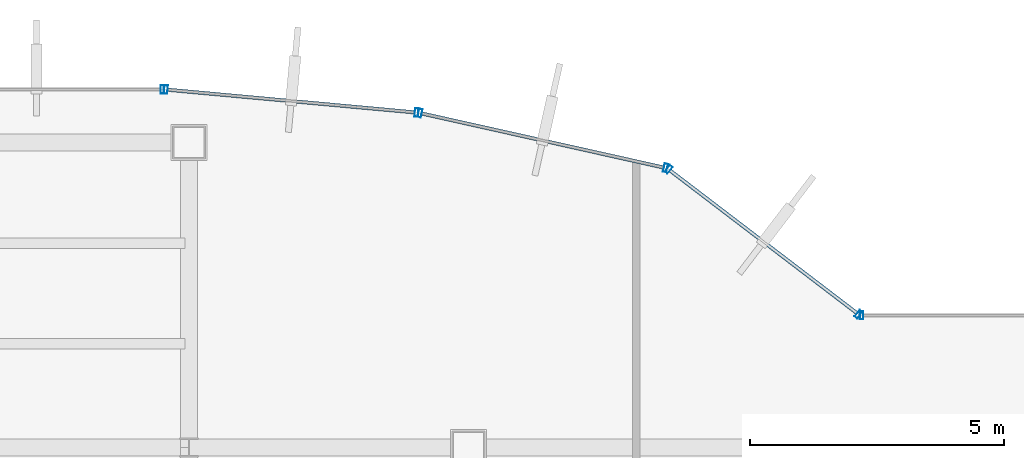
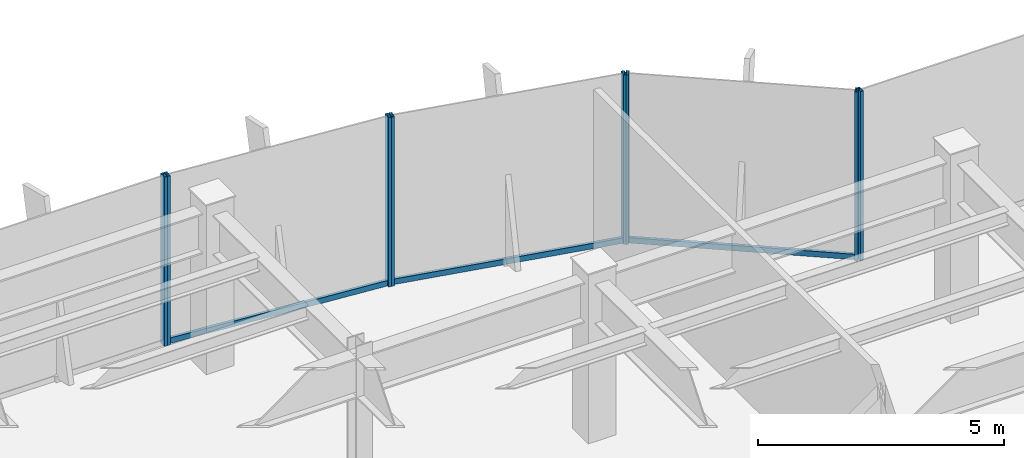
# One storey, part 14 of 26: 11 members, 5 elements without a shape of their own.
"""IFC4 building model written with IfcOpenShell, lengths in metres."""

from ifc_helpers import new_model, si_unit, derived_unit, direction, frame, origin, origin_2d, place, context, subcontext, project, spatial, hollow_rectangle, extrude, source, transform, mapped, material, material_profile, profile_set, type_object, element, aggregate, save


model = new_model("IFC4")

# Units and contexts
model_context = context("Model", 3, precision=1e-05, world=origin(), true_north=direction((0.0, 1.0)))
body_context = subcontext(model_context, "Body", "Model", "MODEL_VIEW")
ifc_project = project(units=[si_unit("LENGTHUNIT", "METRE"), si_unit("AREAUNIT", "SQUARE_METRE"), si_unit("VOLUMEUNIT", "CUBIC_METRE"), si_unit("PLANEANGLEUNIT", "RADIAN"), si_unit("MASSUNIT", "GRAM", prefix="KILO"), derived_unit("THERMALTRANSMITTANCEUNIT", [(si_unit("POWERUNIT", "WATT"), 1), (si_unit("LENGTHUNIT", "METRE"), -2), (si_unit("THERMODYNAMICTEMPERATUREUNIT", "KELVIN"), -1)])], contexts=[model_context])

# Site, building, storey
site_placement = place(None, origin())
site = spatial("IfcSite", under=ifc_project, at=site_placement, CompositionType="ELEMENT")
building_placement = place(site_placement, origin())
building = spatial("IfcBuilding", under=site, at=building_placement, Name="Skarnbrae Concourse Arena and Tower", CompositionType="ELEMENT")
storey_placement = place(building_placement, frame((0.0, 0.0, 184.39990234375)))
storey = spatial("IfcBuildingStorey", under=building, at=storey_placement, Name="L47", CompositionType="ELEMENT", Elevation=184.39990234375)

# Curtain wall, member
ifc_material = material(Name="Bronze anodised aluminium 6063-T6", Category="aluminium")
curtain_wall_type = type_object("IfcCurtainWallType", Name="CW-SYS-06-SKYLOBBY", PredefinedType="USERDEFINED", material=ifc_material)
curtain_wall_1_placement = place(storey_placement, origin())
curtain_wall_1 = element("IfcCurtainWall", 1, at=curtain_wall_1_placement, inside=storey, type_object=curtain_wall_type, Name="L47 Unitised curtain wall CW-L47-E07", ObjectType="UNITISED CURTAIN WALL", PredefinedType="USERDEFINED")
ifc_material_profile_1 = material_profile(ifc_material, hollow_rectangle(XDim=0.070068359375, YDim=0.1650390625, WallThickness=0.00390625, at=origin_2d()), Name="ALU-MULL-70X165")
ifc_profile_set_1 = profile_set([ifc_material_profile_1], Name="Bronze anodised aluminium 6063-T6")
member_type_1 = type_object("IfcMemberType", Name="CWM-CW-06", PredefinedType="MULLION", material=ifc_profile_set_1)
shared_shape_1 = source(origin(), body_context, "Body", "SweptSolid", [
    extrude(hollow_rectangle(XDim=0.070068359375, YDim=0.1650390625, WallThickness=0.00390625, at=origin_2d()), origin(), (0.0, 0.0, 1.0), 4.2001953125),
])
member_1_placement = place(storey_placement, frame((41.235107421875, 37.0, 0.0), z_axis=(0.0, 0.0, 1.0), x_axis=(-1.0, 0.0, 0.0)))
member_1 = element("IfcMember", 2, at=member_1_placement, type_object=member_type_1, Name="CW-L47-E07 Mullion 2", PredefinedType="MULLION", context=body_context, shape_type="MappedRepresentation", body=[
    mapped(shared_shape_1, transform((0.0, 0.0, 0.0))),
])
aggregate(curtain_wall_1, [member_1])

# Curtain wall, members
curtain_wall_2_placement = place(storey_placement, origin())
curtain_wall_2 = element("IfcCurtainWall", 3, at=curtain_wall_2_placement, inside=storey, type_object=curtain_wall_type, Name="L47 Unitised curtain wall CW-L47-E08", ObjectType="UNITISED CURTAIN WALL", PredefinedType="USERDEFINED")
member_2_placement = place(storey_placement, frame((41.172119140625, 37.021240234375, 0.0), z_axis=(0.0, 0.0, 1.0), x_axis=(-0.794956000706, 0.606667089054, 0.0)))
member_2 = element("IfcMember", 4, at=member_2_placement, type_object=member_type_1, Name="CW-L47-E08 Mullion 1", PredefinedType="MULLION", context=body_context, shape_type="MappedRepresentation", body=[
    mapped(shared_shape_1, transform((0.0, 0.0, 0.0))),
])
member_3_placement = place(storey_placement, frame((37.437255859375, 39.87158203125, 0.0), z_axis=(0.0, 0.0, 1.0), x_axis=(-0.794956000706, 0.606667089054, 0.0)))
member_3 = element("IfcMember", 5, at=member_3_placement, type_object=member_type_1, Name="CW-L47-E08 Mullion 2", PredefinedType="MULLION", context=body_context, shape_type="MappedRepresentation", body=[
    mapped(shared_shape_1, transform((0.0, 0.0, 0.0))),
])

curtain_wall_3_placement = place(storey_placement, origin())
curtain_wall_3 = element("IfcCurtainWall", 6, at=curtain_wall_3_placement, inside=storey, type_object=curtain_wall_type, Name="L47 Unitised curtain wall CW-L47-E09", ObjectType="UNITISED CURTAIN WALL", PredefinedType="USERDEFINED")
member_4_placement = place(storey_placement, frame((37.375244140625, 39.900390625, 0.0), z_axis=(0.0, 0.0, 1.0), x_axis=(-0.975936175393, 0.218056372433, 0.0)))
member_4 = element("IfcMember", 7, at=member_4_placement, type_object=member_type_1, Name="CW-L47-E09 Mullion 1", PredefinedType="MULLION", context=body_context, shape_type="MappedRepresentation", body=[
    mapped(shared_shape_1, transform((0.0, 0.0, 0.0))),
])
member_5_placement = place(storey_placement, frame((32.54638671875, 40.979248046875, 0.0), z_axis=(0.0, 0.0, 1.0), x_axis=(-0.975936175393, 0.218056372433, 0.0)))
member_5 = element("IfcMember", 8, at=member_5_placement, type_object=member_type_1, Name="CW-L47-E09 Mullion 2", PredefinedType="MULLION", context=body_context, shape_type="MappedRepresentation", body=[
    mapped(shared_shape_1, transform((0.0, 0.0, 0.0))),
])

curtain_wall_4_placement = place(storey_placement, origin())
curtain_wall_4 = element("IfcCurtainWall", 9, at=curtain_wall_4_placement, inside=storey, type_object=curtain_wall_type, Name="L47 Unitised curtain wall CW-L47-E10", ObjectType="UNITISED CURTAIN WALL", PredefinedType="USERDEFINED")
member_6_placement = place(storey_placement, frame((32.477294921875, 40.989990234375, 0.0), z_axis=(0.0, 0.0, 1.0), x_axis=(-0.995819926016, 0.091338244731, 0.0)))
member_6 = element("IfcMember", 10, at=member_6_placement, type_object=member_type_1, Name="CW-L47-E10 Mullion 1", PredefinedType="MULLION", context=body_context, shape_type="MappedRepresentation", body=[
    mapped(shared_shape_1, transform((0.0, 0.0, 0.0))),
])
member_7_placement = place(storey_placement, frame((27.546142578125, 41.4423828125, 0.0), z_axis=(0.0, 0.0, 1.0), x_axis=(-0.995819926016, 0.091338244731, 0.0)))
member_7 = element("IfcMember", 11, at=member_7_placement, type_object=member_type_1, Name="CW-L47-E10 Mullion 2", PredefinedType="MULLION", context=body_context, shape_type="MappedRepresentation", body=[
    mapped(shared_shape_1, transform((0.0, 0.0, 0.0))),
])

# Curtain wall, member
curtain_wall_5_placement = place(storey_placement, origin())
curtain_wall_5 = element("IfcCurtainWall", 12, at=curtain_wall_5_placement, inside=storey, type_object=curtain_wall_type, Name="L47 Unitised curtain wall CW-L47-E11", ObjectType="UNITISED CURTAIN WALL", PredefinedType="USERDEFINED")
member_8_placement = place(storey_placement, frame((27.476318359375, 41.445556640625, 0.0), z_axis=(0.0, 0.0, 1.0), x_axis=(-1.0, 0.0, 0.0)))
member_8 = element("IfcMember", 13, at=member_8_placement, type_object=member_type_1, Name="CW-L47-E11 Mullion 1", PredefinedType="MULLION", context=body_context, shape_type="MappedRepresentation", body=[
    mapped(shared_shape_1, transform((0.0, 0.0, 0.0))),
])
aggregate(curtain_wall_5, [member_8])

# Member
ifc_material_profile_2 = material_profile(ifc_material, hollow_rectangle(XDim=0.070068359375, YDim=0.135009765625, WallThickness=0.00390625, at=origin_2d()), Name="ALU-TRAN-70X135")
ifc_profile_set_2 = profile_set([ifc_material_profile_2], Name="Bronze anodised aluminium 6063-T6")
member_type_2 = type_object("IfcMemberType", Name="CWT-CW-06", PredefinedType="USERDEFINED", material=ifc_profile_set_2)
shared_shape_2 = source(origin(), body_context, "Body", "SweptSolid", [
    extrude(hollow_rectangle(XDim=0.070068359375, YDim=0.135009765625, WallThickness=0.00390625, at=origin_2d()), origin(), (0.0, 0.0, 1.0), 4.628173828125),
])
member_9_placement = place(storey_placement, frame((41.144287109375, 37.04248046875, 0.067626953125), z_axis=(-0.794971330583, 0.606647000777, 0.0), x_axis=(-0.606647000777, -0.794971330583, 0.0)))
member_9 = element("IfcMember", 14, at=member_9_placement, type_object=member_type_2, Name="CW-L47-E08 Transom 1", ObjectType="TRANSOM", PredefinedType="USERDEFINED", context=body_context, shape_type="MappedRepresentation", body=[
    mapped(shared_shape_2, transform((0.0, 0.0, 0.0))),
])

aggregate(curtain_wall_2, [member_2, member_3, member_9])

shared_shape_3 = source(origin(), body_context, "Body", "SweptSolid", [
    extrude(hollow_rectangle(XDim=0.070068359375, YDim=0.135009765625, WallThickness=0.00390625, at=origin_2d()), origin(), (0.0, 0.0, 1.0), 4.878173828125),
])
member_10_placement = place(storey_placement, frame((37.34130859375, 39.907958984375, 0.067626953125), z_axis=(-0.975935578938, 0.21805904192, 0.0), x_axis=(-0.21805904192, -0.975935578938, 0.0)))
member_10 = element("IfcMember", 15, at=member_10_placement, type_object=member_type_2, Name="CW-L47-E09 Transom 1", ObjectType="TRANSOM", PredefinedType="USERDEFINED", context=body_context, shape_type="MappedRepresentation", body=[
    mapped(shared_shape_3, transform((0.0, 0.0, 0.0))),
])

aggregate(curtain_wall_3, [member_4, member_5, member_10])

shared_shape_4 = source(origin(), body_context, "Body", "SweptSolid", [
    extrude(hollow_rectangle(XDim=0.070068359375, YDim=0.135009765625, WallThickness=0.00390625, at=origin_2d()), origin(), (0.0, 0.0, 1.0), 4.882080078125),
])
member_11_placement = place(storey_placement, frame((32.442626953125, 40.993408203125, 0.067626953125), z_axis=(-0.995821987085, 0.091315771025, 0.0), x_axis=(-0.091315771025, -0.995821987085, 0.0)))
member_11 = element("IfcMember", 16, at=member_11_placement, type_object=member_type_2, Name="CW-L47-E10 Transom 1", ObjectType="TRANSOM", PredefinedType="USERDEFINED", context=body_context, shape_type="MappedRepresentation", body=[
    mapped(shared_shape_4, transform((0.0, 0.0, 0.0))),
])

aggregate(curtain_wall_4, [member_6, member_7, member_11])

save(model, "model.ifc")
